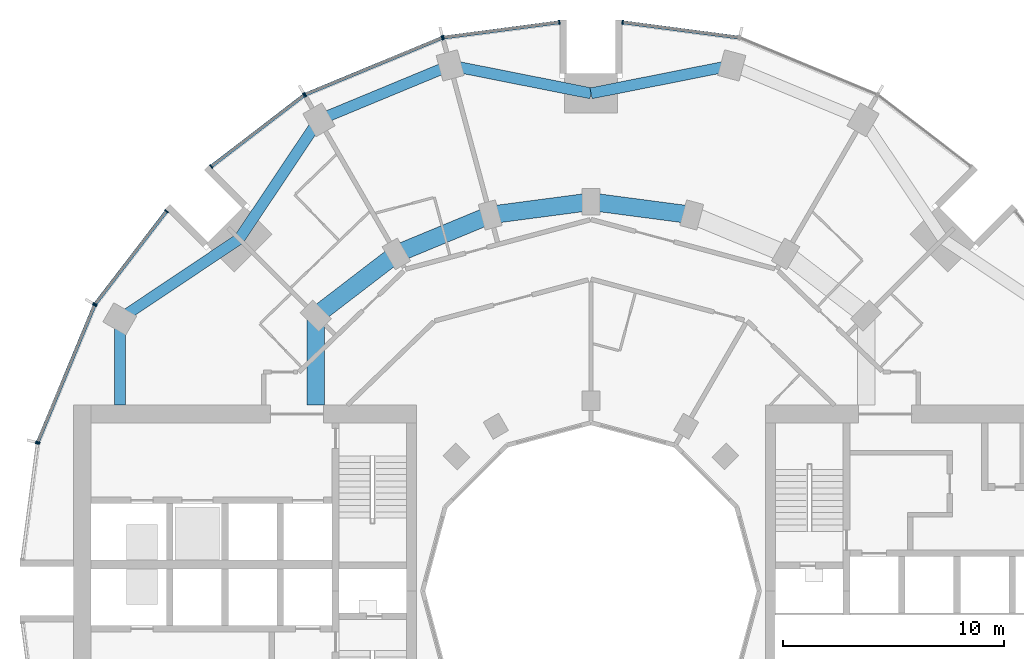
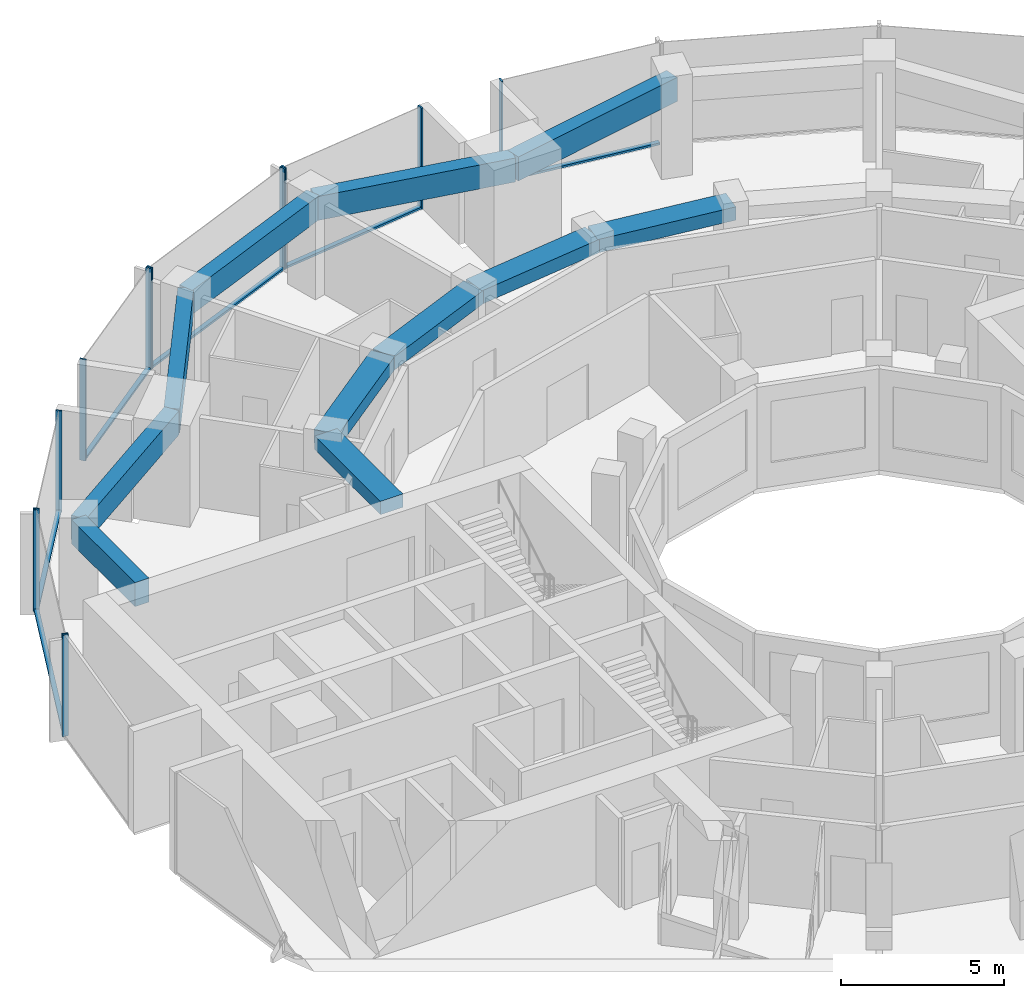
# One storey, part 5 of 15: 18 members, 11 beams, 7 elements without a shape of their own.
"""IFC4 building model written with IfcOpenShell, lengths in metres."""

from ifc_helpers import new_model, si_unit, direction, frame, origin, origin_2d, place, context, subcontext, project, spatial, rectangle, extrude, material, layer, layer_set, material_profile, profile_set, type_object, element, aggregate, save


model = new_model("IFC4")

# Units and contexts
model_context = context("Model", 3, precision=1e-05, world=origin(), true_north=direction((0.0, 1.0)))
body_context = subcontext(model_context, "Body", "Model", "MODEL_VIEW")
ifc_project = project(units=[si_unit("LENGTHUNIT", "METRE"), si_unit("AREAUNIT", "SQUARE_METRE"), si_unit("VOLUMEUNIT", "CUBIC_METRE"), si_unit("PLANEANGLEUNIT", "RADIAN"), si_unit("MASSUNIT", "GRAM", prefix="KILO")], contexts=[model_context])

# Site, building, storey
site_placement = place(None, origin())
site = spatial("IfcSite", under=ifc_project, at=site_placement, CompositionType="ELEMENT")
building_placement = place(site_placement, origin())
building = spatial("IfcBuilding", under=site, at=building_placement, Name="Torre Brocal", CompositionType="ELEMENT")
storey_placement = place(building_placement, frame((0.0, 0.0, 93.800048828125)))
storey = spatial("IfcBuildingStorey", under=building, at=storey_placement, Name="L21", CompositionType="ELEMENT", Elevation=93.800048828125)

# Curtain wall, member
ifc_material_1 = material(Name="Aluminium and glass", Category="aluminium")
ifc_layer_1 = layer(ifc_material_1, 0.199951171875)
ifc_layer_set_1 = layer_set([ifc_layer_1], Name="Aluminium and glass")
curtain_wall_type_1 = type_object("IfcCurtainWallType", Name="CW-1 CURTAIN WALL 3800 HIGH", PredefinedType="NOTDEFINED", material=ifc_layer_set_1)
curtain_wall_1_placement = place(storey_placement, origin())
curtain_wall_1 = element("IfcCurtainWall", 1, at=curtain_wall_1_placement, inside=storey, type_object=curtain_wall_type_1, Name="CW-1 RUN 6", PredefinedType="NOTDEFINED")
ifc_material_2 = material(Name="Aluminium, dark anodised", Category="aluminium")
ifc_material_profile_1 = material_profile(ifc_material_2, rectangle(XDim=0.199951171875, YDim=0.06005859375, at=origin_2d()), Name="CW-1 MULLION 60X200")
ifc_profile_set_1 = profile_set([ifc_material_profile_1], Name="Aluminium, dark anodised")
member_type_1 = type_object("IfcMemberType", Name="CW-1 MULLION 60X200", PredefinedType="MULLION", material=ifc_profile_set_1)
member_1_placement = place(storey_placement, frame((81.4296875, 100.7109375, 0.0), z_axis=(0.0, 0.0, 1.0), x_axis=(-0.13052619222, -0.991444861374, 0.0)))
member_1 = element("IfcMember", 2, at=member_1_placement, type_object=member_type_1, Name="CW1-1 mullion 2", PredefinedType="MULLION", context=body_context, shape_type="SweptSolid", body=[
    extrude(rectangle(XDim=0.199951171875, YDim=0.06005859375, at=origin_2d()), origin(), (0.0, 0.0, 1.0), 3.800048828125),
])

# Curtain wall, members
curtain_wall_2_placement = place(storey_placement, origin())
curtain_wall_2 = element("IfcCurtainWall", 3, at=curtain_wall_2_placement, inside=storey, type_object=curtain_wall_type_1, Name="CW-1 RUN 7", PredefinedType="NOTDEFINED")
member_2_placement = place(storey_placement, frame((78.5703125, 100.7109375, 0.0), z_axis=(0.0, 0.0, 1.0), x_axis=(0.13052619222, -0.991444861374, 0.0)))
member_2 = element("IfcMember", 4, at=member_2_placement, type_object=member_type_1, Name="CW1-1 mullion 1", PredefinedType="MULLION", context=body_context, shape_type="SweptSolid", body=[
    extrude(rectangle(XDim=0.199951171875, YDim=0.06005859375, at=origin_2d()), origin(), (0.0, 0.0, 1.0), 3.800048828125),
])
member_3_placement = place(storey_placement, frame((73.32666015625, 100.0205078125, 0.0), z_axis=(0.0, 0.0, 1.0), x_axis=(0.13052619222, -0.991444861374, 0.0)))
member_3 = element("IfcMember", 5, at=member_3_placement, type_object=member_type_1, Name="CW1-1 mullion 2", PredefinedType="MULLION", context=body_context, shape_type="SweptSolid", body=[
    extrude(rectangle(XDim=0.199951171875, YDim=0.06005859375, at=origin_2d()), origin(), (0.0, 0.0, 1.0), 3.800048828125),
])

curtain_wall_3_placement = place(storey_placement, origin())
curtain_wall_3 = element("IfcCurtainWall", 6, at=curtain_wall_3_placement, inside=storey, type_object=curtain_wall_type_1, Name="CW-1 RUN 8", PredefinedType="NOTDEFINED")
member_4_placement = place(storey_placement, frame((73.26904296875, 100.005126953125, 0.0), z_axis=(0.0, 0.0, 1.0), x_axis=(0.382683432333, -0.923879532525, 0.0)))
member_4 = element("IfcMember", 7, at=member_4_placement, type_object=member_type_1, Name="CW1-1 mullion 1", PredefinedType="MULLION", context=body_context, shape_type="SweptSolid", body=[
    extrude(rectangle(XDim=0.199951171875, YDim=0.06005859375, at=origin_2d()), origin(), (0.0, 0.0, 1.0), 3.800048828125),
])
member_5_placement = place(storey_placement, frame((67.078125, 97.440673828125, 0.0), z_axis=(0.0, 0.0, 1.0), x_axis=(0.382683432333, -0.923879532525, 0.0)))
member_5 = element("IfcMember", 8, at=member_5_placement, type_object=member_type_1, Name="CW1-1 mullion 2", PredefinedType="MULLION", context=body_context, shape_type="SweptSolid", body=[
    extrude(rectangle(XDim=0.199951171875, YDim=0.06005859375, at=origin_2d()), origin(), (0.0, 0.0, 1.0), 3.800048828125),
])

curtain_wall_4_placement = place(storey_placement, origin())
curtain_wall_4 = element("IfcCurtainWall", 9, at=curtain_wall_4_placement, inside=storey, type_object=curtain_wall_type_1, Name="CW-1 RUN 9", PredefinedType="NOTDEFINED")
member_6_placement = place(storey_placement, frame((67.026611328125, 97.4111328125, 0.0), z_axis=(0.0, 0.0, 1.0), x_axis=(0.60876142905, -0.793353340259, 0.0)))
member_6 = element("IfcMember", 10, at=member_6_placement, type_object=member_type_1, Name="CW1-1 mullion 1", PredefinedType="MULLION", context=body_context, shape_type="SweptSolid", body=[
    extrude(rectangle(XDim=0.199951171875, YDim=0.06005859375, at=origin_2d()), origin(), (0.0, 0.0, 1.0), 3.800048828125),
])
member_7_placement = place(storey_placement, frame((62.83056640625, 94.19140625, 0.0), z_axis=(0.0, 0.0, 1.0), x_axis=(0.60876142905, -0.793353340259, 0.0)))
member_7 = element("IfcMember", 11, at=member_7_placement, type_object=member_type_1, Name="CW1-1 mullion 2", PredefinedType="MULLION", context=body_context, shape_type="SweptSolid", body=[
    extrude(rectangle(XDim=0.199951171875, YDim=0.06005859375, at=origin_2d()), origin(), (0.0, 0.0, 1.0), 3.800048828125),
])

curtain_wall_5_placement = place(storey_placement, origin())
curtain_wall_5 = element("IfcCurtainWall", 12, at=curtain_wall_5_placement, inside=storey, type_object=curtain_wall_type_1, Name="CW-1 RUN 10", PredefinedType="NOTDEFINED")
member_8_placement = place(storey_placement, frame((60.80859375, 92.16943359375, 0.0), z_axis=(0.0, 0.0, 1.0), x_axis=(0.793353340259, -0.60876142905, 0.0)))
member_8 = element("IfcMember", 13, at=member_8_placement, type_object=member_type_1, Name="CW1-1 mullion 1", PredefinedType="MULLION", context=body_context, shape_type="SweptSolid", body=[
    extrude(rectangle(XDim=0.199951171875, YDim=0.06005859375, at=origin_2d()), origin(), (0.0, 0.0, 1.0), 3.800048828125),
])
member_9_placement = place(storey_placement, frame((57.5888671875, 87.973388671875, 0.0), z_axis=(0.0, 0.0, 1.0), x_axis=(0.793353340259, -0.60876142905, 0.0)))
member_9 = element("IfcMember", 14, at=member_9_placement, type_object=member_type_1, Name="CW1-1 mullion 2", PredefinedType="MULLION", context=body_context, shape_type="SweptSolid", body=[
    extrude(rectangle(XDim=0.199951171875, YDim=0.06005859375, at=origin_2d()), origin(), (0.0, 0.0, 1.0), 3.800048828125),
])

curtain_wall_6_placement = place(storey_placement, origin())
curtain_wall_6 = element("IfcCurtainWall", 15, at=curtain_wall_6_placement, inside=storey, type_object=curtain_wall_type_1, Name="CW-1 RUN 11", PredefinedType="NOTDEFINED")
member_10_placement = place(storey_placement, frame((57.559326171875, 87.921875, 0.0), z_axis=(0.0, 0.0, 1.0), x_axis=(0.923879532525, -0.382683432333, 0.0)))
member_10 = element("IfcMember", 16, at=member_10_placement, type_object=member_type_1, Name="CW1-1 mullion 1", PredefinedType="MULLION", context=body_context, shape_type="SweptSolid", body=[
    extrude(rectangle(XDim=0.199951171875, YDim=0.06005859375, at=origin_2d()), origin(), (0.0, 0.0, 1.0), 3.800048828125),
])
member_11_placement = place(storey_placement, frame((54.994873046875, 81.73095703125, 0.0), z_axis=(0.0, 0.0, 1.0), x_axis=(0.923879532525, -0.382683432333, 0.0)))
member_11 = element("IfcMember", 17, at=member_11_placement, type_object=member_type_1, Name="CW1-1 mullion 2", PredefinedType="MULLION", context=body_context, shape_type="SweptSolid", body=[
    extrude(rectangle(XDim=0.199951171875, YDim=0.06005859375, at=origin_2d()), origin(), (0.0, 0.0, 1.0), 3.800048828125),
])

# Member
ifc_material_3 = material(Name="Aluminium, dark anodised", Category="aluminium")
ifc_material_profile_2 = material_profile(ifc_material_3, rectangle(XDim=0.159912109375, YDim=0.080078125, at=origin_2d()), Name="CW-1 TRANSOM 160X80")
ifc_profile_set_2 = profile_set([ifc_material_profile_2], Name="Aluminium, dark anodised")
member_type_2 = type_object("IfcMemberType", Name="CW-1 TRANSOM 160X80", PredefinedType="USERDEFINED", material=ifc_profile_set_2)
member_12_placement = place(storey_placement, frame((86.643798828125, 100.0244140625, 0.0400390625), z_axis=(-0.991442690863, 0.130542677827, 0.0), x_axis=(-0.130542677827, -0.991442690863, 0.0)))
member_12 = element("IfcMember", 18, at=member_12_placement, type_object=member_type_2, Name="CW1-1 transom 1.1", ObjectType="TRANSOM", PredefinedType="USERDEFINED", context=body_context, shape_type="SweptSolid", body=[
    extrude(rectangle(XDim=0.159912109375, YDim=0.080078125, at=origin_2d()), origin(), (0.0, 0.0, 1.0), 5.22900390625),
])

aggregate(curtain_wall_1, [member_1, member_12])

member_13_placement = place(storey_placement, frame((78.54052734375, 100.70703125, 0.0400390625), z_axis=(-0.991442690863, -0.130542677827, 0.0), x_axis=(0.130542677827, -0.991442690863, 0.0)))
member_13 = element("IfcMember", 19, at=member_13_placement, type_object=member_type_2, Name="CW1-1 transom 1.1", ObjectType="TRANSOM", PredefinedType="USERDEFINED", context=body_context, shape_type="SweptSolid", body=[
    extrude(rectangle(XDim=0.159912109375, YDim=0.080078125, at=origin_2d()), origin(), (0.0, 0.0, 1.0), 5.22900390625),
])

aggregate(curtain_wall_2, [member_2, member_3, member_13])

member_14_placement = place(storey_placement, frame((73.241455078125, 99.99365234375, 0.0400390625), z_axis=(-0.923887344364, -0.38266457234, 0.0), x_axis=(0.38266457234, -0.923887344364, 0.0)))
member_14 = element("IfcMember", 20, at=member_14_placement, type_object=member_type_2, Name="CW1-1 transom 1.1", ObjectType="TRANSOM", PredefinedType="USERDEFINED", context=body_context, shape_type="SweptSolid", body=[
    extrude(rectangle(XDim=0.159912109375, YDim=0.080078125, at=origin_2d()), origin(), (0.0, 0.0, 1.0), 6.640869140625),
])

aggregate(curtain_wall_3, [member_4, member_5, member_14])

member_15_placement = place(storey_placement, frame((67.0029296875, 97.392822265625, 0.0400390625), z_axis=(-0.79336281513, -0.60874908096, 0.0), x_axis=(0.60874908096, -0.79336281513, 0.0)))
member_15 = element("IfcMember", 21, at=member_15_placement, type_object=member_type_2, Name="CW1-1 transom 1.1", ObjectType="TRANSOM", PredefinedType="USERDEFINED", context=body_context, shape_type="SweptSolid", body=[
    extrude(rectangle(XDim=0.159912109375, YDim=0.080078125, at=origin_2d()), origin(), (0.0, 0.0, 1.0), 5.22900390625),
])

aggregate(curtain_wall_4, [member_6, member_7, member_15])

member_16_placement = place(storey_placement, frame((60.790283203125, 92.1455078125, 0.0400390625), z_axis=(-0.60874908096, -0.79336281513, 0.0), x_axis=(0.79336281513, -0.60874908096, 0.0)))
member_16 = element("IfcMember", 22, at=member_16_placement, type_object=member_type_2, Name="CW1-1 transom 1.1", ObjectType="TRANSOM", PredefinedType="USERDEFINED", context=body_context, shape_type="SweptSolid", body=[
    extrude(rectangle(XDim=0.159912109375, YDim=0.080078125, at=origin_2d()), origin(), (0.0, 0.0, 1.0), 5.22900390625),
])

aggregate(curtain_wall_5, [member_8, member_9, member_16])

member_17_placement = place(storey_placement, frame((57.547607421875, 87.89404296875, 0.0400390625), z_axis=(-0.38266457234, -0.923887344364, 0.0), x_axis=(0.923887344364, -0.38266457234, 0.0)))
member_17 = element("IfcMember", 23, at=member_17_placement, type_object=member_type_2, Name="CW1-1 transom 1.1", ObjectType="TRANSOM", PredefinedType="USERDEFINED", context=body_context, shape_type="SweptSolid", body=[
    extrude(rectangle(XDim=0.159912109375, YDim=0.080078125, at=origin_2d()), origin(), (0.0, 0.0, 1.0), 6.640869140625),
])

aggregate(curtain_wall_6, [member_10, member_11, member_17])

# Curtain wall, member
ifc_material_4 = material(Name="Aluminium and glass", Category="aluminium")
ifc_layer_2 = layer(ifc_material_4, 0.199951171875)
ifc_layer_set_2 = layer_set([ifc_layer_2], Name="Aluminium and glass")
curtain_wall_type_2 = type_object("IfcCurtainWallType", Name="CW-1B CURTAIN WALL 3800 HIGH", PredefinedType="NOTDEFINED", material=ifc_layer_set_2)
curtain_wall_7_placement = place(storey_placement, origin())
curtain_wall_7 = element("IfcCurtainWall", 24, at=curtain_wall_7_placement, inside=storey, type_object=curtain_wall_type_2, Name="CW-1B RUN 12", PredefinedType="NOTDEFINED")
ifc_material_5 = material(Name="Aluminium, dark anodised", Category="aluminium")
ifc_material_profile_3 = material_profile(ifc_material_5, rectangle(XDim=0.199951171875, YDim=0.06005859375, at=origin_2d()), Name="CW-1B MULLION 60X200")
ifc_profile_set_3 = profile_set([ifc_material_profile_3], Name="Aluminium, dark anodised")
member_type_3 = type_object("IfcMemberType", Name="CW-1B MULLION 60X200", PredefinedType="MULLION", material=ifc_profile_set_3)
member_18_placement = place(storey_placement, frame((54.9794921875, 81.67333984375, 0.0), z_axis=(0.0, 0.0, 1.0), x_axis=(0.991444861374, -0.13052619222, 0.0)))
member_18 = element("IfcMember", 25, at=member_18_placement, type_object=member_type_3, Name="CW1B-1 mullion 1", PredefinedType="MULLION", context=body_context, shape_type="SweptSolid", body=[
    extrude(rectangle(XDim=0.199951171875, YDim=0.06005859375, at=origin_2d()), origin(), (0.0, 0.0, 1.0), 3.800048828125),
])
aggregate(curtain_wall_7, [member_18])

# Beams
ifc_material_6 = material(Name="Concrete C50", Category="concrete")
ifc_material_profile_4 = material_profile(ifc_material_6, rectangle(XDim=0.800048828125, YDim=0.5, at=origin_2d()), Name="RC 800X500")
ifc_profile_set_4 = profile_set([ifc_material_profile_4], Name="Concrete C50")
beam_type_1 = type_object("IfcBeamType", Name="RC BEAM 800X500 C50 TOP 3480", PredefinedType="BEAM", material=ifc_profile_set_4)
for number, where, z_axis, x_axis, name in (
    (26, (84.55517578125, 92.000244140625, 3.22998046875), (-0.991440544449, 0.130558978332, 0.0), (-0.130558978332, -0.991440544449, 0.0), "Beam BT-19"),
    (27, (80.0, 92.60009765625, 3.22998046875), (-0.991440544449, -0.130558978332, 0.0), (0.130558978332, -0.991440544449, 0.0), "Beam BT-19"),
):
    element("IfcBeam", number, at=place(storey_placement, frame(where, z_axis=z_axis, x_axis=x_axis)), inside=storey, type_object=beam_type_1, Name=name, PredefinedType="BEAM", context=body_context, shape_type="SweptSolid", body=[
        extrude(rectangle(XDim=0.800048828125, YDim=0.5, at=origin_2d()), origin(), (0.0, 0.0, 1.0), 4.594482421875),
    ])
beam_1_placement = place(storey_placement, frame((75.44482421875, 92.000244140625, 3.22998046875), z_axis=(-0.923878240166, -0.382686552348, 0.0), x_axis=(0.382686552348, -0.923878240166, 0.0)))
element("IfcBeam", 28, at=beam_1_placement, inside=storey, type_object=beam_type_1, Name="Beam BT-19", PredefinedType="BEAM", context=body_context, shape_type="SweptSolid", body=[
    extrude(rectangle(XDim=0.800048828125, YDim=0.5, at=origin_2d()), origin(), (0.0, 0.0, 1.0), 4.5947265625),
])
beam_2_placement = place(storey_placement, frame((71.199951171875, 90.241943359375, 3.22998046875), z_axis=(-0.793358265959, -0.6087550097, 0.0), x_axis=(0.6087550097, -0.793358265959, 0.0)))
element("IfcBeam", 29, at=beam_2_placement, inside=storey, type_object=beam_type_1, Name="Beam BT-19", PredefinedType="BEAM", context=body_context, shape_type="SweptSolid", body=[
    extrude(rectangle(XDim=0.800048828125, YDim=0.5, at=origin_2d()), origin(), (0.0, 0.0, 1.0), 4.594482421875),
])
beam_3_placement = place(storey_placement, frame((67.554931640625, 87.445068359375, 3.22998046875), z_axis=(0.0, -1.0, 0.0), x_axis=(1.0, 0.0, 0.0)))
element("IfcBeam", 30, at=beam_3_placement, inside=storey, type_object=beam_type_1, Name="Beam BT-19", PredefinedType="BEAM", context=body_context, shape_type="SweptSolid", body=[
    extrude(rectangle(XDim=0.800048828125, YDim=0.5, at=origin_2d()), origin(), (0.0, 0.0, 1.0), 4.045166015625),
])
ifc_material_7 = material(Name="Concrete C50", Category="concrete")
ifc_material_profile_5 = material_profile(ifc_material_7, rectangle(XDim=0.5, YDim=0.89990234375, at=origin_2d()), Name="RC 500X900")
ifc_profile_set_5 = profile_set([ifc_material_profile_5], Name="Concrete C50")
beam_type_2 = type_object("IfcBeamType", Name="RC SPANDREL BEAM 500X900 C50 TOP 3480", PredefinedType="SPANDREL", material=ifc_profile_set_5)
for number, where, z_axis, x_axis, name in (
    (31, (86.366943359375, 98.76171875, 3.030029296875), (-0.980924907484, -0.194387051723, 0.0), (0.194387051723, -0.980924907484, 0.0), "Beam BT-20"),
    (32, (80.0, 97.5, 3.030029296875), (-0.980924907484, 0.194387051723, 0.0), (-0.194387051723, -0.980924907484, 0.0), "Beam BT-20"),
):
    element("IfcBeam", number, at=place(storey_placement, frame(where, z_axis=z_axis, x_axis=x_axis)), inside=storey, type_object=beam_type_2, Name=name, PredefinedType="SPANDREL", context=body_context, shape_type="SweptSolid", body=[
        extrude(rectangle(XDim=0.5, YDim=0.89990234375, at=origin_2d()), origin(), (0.0, 0.0, 1.0), 6.49072265625),
    ])
beam_4_placement = place(storey_placement, frame((73.633056640625, 98.76171875, 3.030029296875), z_axis=(-0.923882462513, -0.382676358639, 0.0), x_axis=(0.382676358639, -0.923882462513, 0.0)))
element("IfcBeam", 33, at=beam_4_placement, inside=storey, type_object=beam_type_2, Name="Beam BT-20", PredefinedType="SPANDREL", context=body_context, shape_type="SweptSolid", body=[
    extrude(rectangle(XDim=0.5, YDim=0.89990234375, at=origin_2d()), origin(), (0.0, 0.0, 1.0), 6.421875),
])
for number, where, z_axis, x_axis, name in (
    (34, (67.699951171875, 96.30419921875, 3.030029296875), (-0.556157602282, -0.831076844476, 0.0), (0.831076844476, -0.556157602282, 0.0), "Beam BT-20"),
    (35, (64.090087890625, 90.909912109375, 3.030029296875), (-0.831076844476, -0.556157602282, 0.0), (0.556157602282, -0.831076844476, 0.0), "Beam BT-20"),
):
    element("IfcBeam", number, at=place(storey_placement, frame(where, z_axis=z_axis, x_axis=x_axis)), inside=storey, type_object=beam_type_2, Name=name, PredefinedType="SPANDREL", context=body_context, shape_type="SweptSolid", body=[
        extrude(rectangle(XDim=0.5, YDim=0.89990234375, at=origin_2d()), origin(), (0.0, 0.0, 1.0), 6.49072265625),
    ])
beam_5_placement = place(storey_placement, frame((58.69580078125, 87.300048828125, 3.030029296875), z_axis=(0.0, -1.0, 0.0), x_axis=(1.0, 0.0, 0.0)))
element("IfcBeam", 36, at=beam_5_placement, inside=storey, type_object=beam_type_2, Name="Beam BT-20", PredefinedType="SPANDREL", context=body_context, shape_type="SweptSolid", body=[
    extrude(rectangle(XDim=0.5, YDim=0.89990234375, at=origin_2d()), origin(), (0.0, 0.0, 1.0), 3.900146484375),
])

save(model, "model.ifc")
